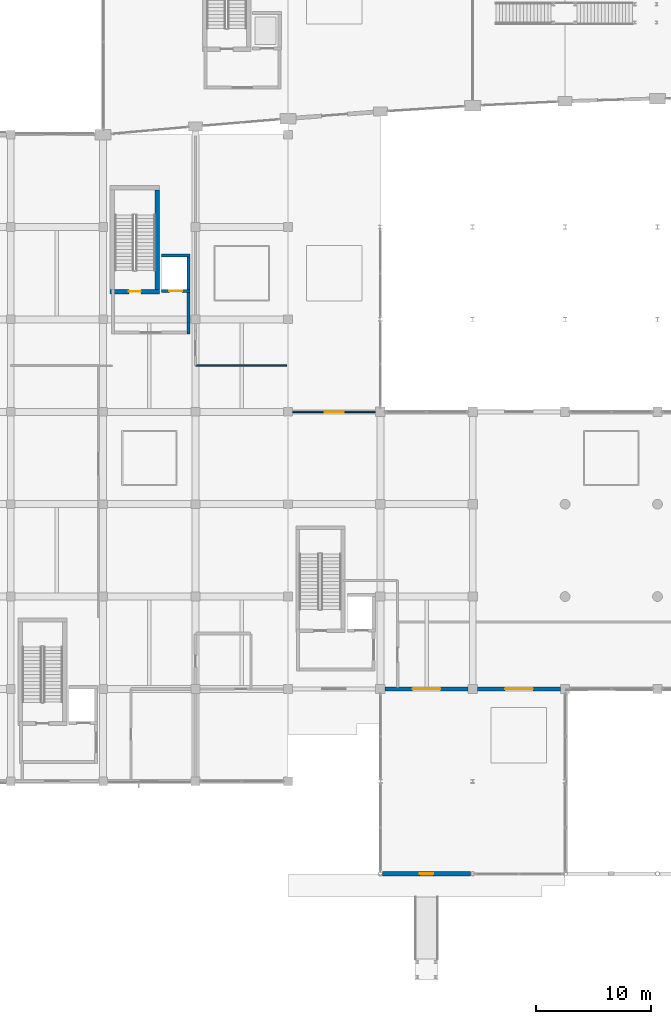
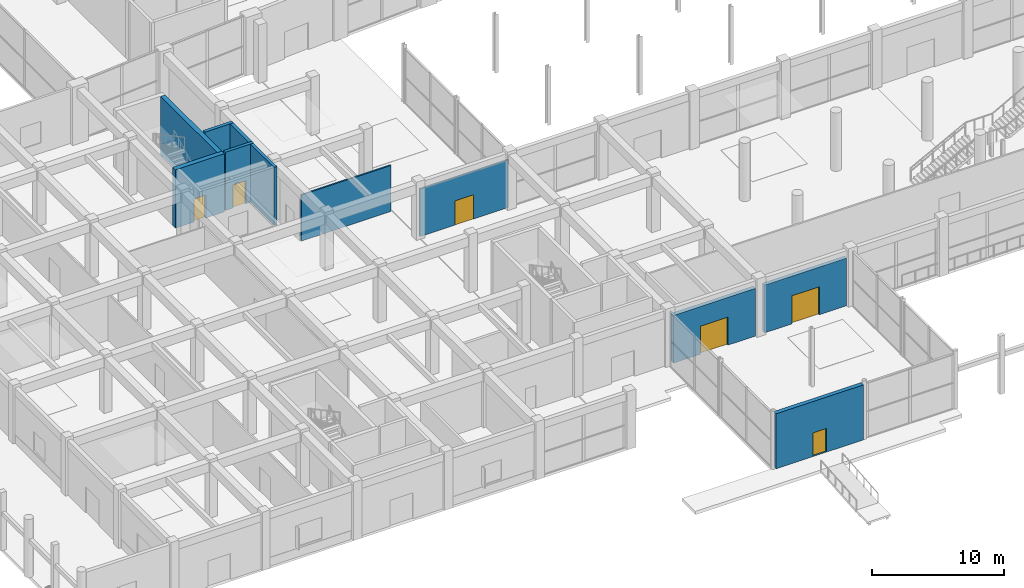
# One storey, part 56 of 86: 11 walls, 6 doors, 6 openings.
"""IFC4 building model written with IfcOpenShell, lengths in metres."""

from ifc_helpers import new_model, si_unit, direction, frame, frame_2d, origin, place, context, subcontext, project, spatial, rectangle, extrude, material, layer, layer_set, type_object, element, fill, save


model = new_model("IFC4")

# Units and contexts
model_context = context("Model", 3, precision=1e-05, world=origin(), true_north=direction((0.0, 1.0)))
body_context = subcontext(model_context, "Body", "Model", "MODEL_VIEW")
ifc_project = project(units=[si_unit("LENGTHUNIT", "METRE"), si_unit("AREAUNIT", "SQUARE_METRE"), si_unit("VOLUMEUNIT", "CUBIC_METRE"), si_unit("PLANEANGLEUNIT", "RADIAN"), si_unit("MASSUNIT", "GRAM", prefix="KILO")], contexts=[model_context])

# Site, building, storey
site_placement = place(None, origin())
site = spatial("IfcSite", under=ifc_project, at=site_placement, CompositionType="ELEMENT")
building_placement = place(site_placement, origin())
building = spatial("IfcBuilding", under=site, at=building_placement, Name="Kenh Van Central Station", CompositionType="ELEMENT")
storey_placement = place(building_placement, origin())
storey = spatial("IfcBuildingStorey", under=building, at=storey_placement, Name="L00", CompositionType="ELEMENT", Elevation=0.0)

# Wall, opening, door
ifc_material_1 = material(Name="Concrete C40/50", Category="concrete")
ifc_layer_1 = layer(ifc_material_1, 0.280029296875, Name="Concrete C40/50")
ifc_layer_set_1 = layer_set([ifc_layer_1], Name="Concrete C40/50")
wall_type_1 = type_object("IfcWallType", Name="WL-CORE-280", PredefinedType="SHEAR", material=ifc_layer_set_1)
wall_1_placement = place(storey_placement, frame((37.050048828125, 50.4599609375, 0.0), z_axis=(0.0, 0.0, 1.0), x_axis=(1.0, 0.0, 0.0)))
wall_1 = element("IfcWall", 1, at=wall_1_placement, inside=storey, type_object=wall_type_1, Name="L00 LIFT-P2 shaft wall S", PredefinedType="SHEAR", context=body_context, shape_type="SweptSolid", body=[
    extrude(rectangle(XDim=2.47998046875, YDim=0.280029296875, at=frame_2d((1.239990234375, 0.0))), origin(), (0.0, 0.0, 1.0), 5.39990234375),
])
opening_1_placement = place(wall_1_placement, frame((0.68994140625, 0.0, 0.0)))
opening_1 = element("IfcOpeningElement", 2, at=opening_1_placement, cuts=wall_1, Name="Opening LD-P1", PredefinedType="OPENING", context=body_context, shape_type="SweptSolid", body=[
    extrude(rectangle(XDim=1.10009765625, YDim=2.14990234375, at=frame_2d((0.550048828125, 1.074951171875))), frame((0.0, 0.14990234375, 0.0), z_axis=(0.0, -1.0, 0.0), x_axis=(1.0, 0.0, 0.0)), (0.0, 0.0, 1.0), 0.300048828125),
])
ifc_material_2 = material(Name="Champagne anodised aluminium", Category="aluminium")
door_type_1 = type_object("IfcDoorType", Name="DR-LIFT-1100x2150", OperationType="SLIDING_TO_LEFT", PredefinedType="DOOR", material=ifc_material_2)
door_1_placement = place(opening_1_placement, origin())
door_1 = element("IfcDoor", 3, at=door_1_placement, inside=storey, type_object=door_type_1, Name="L00 LIFT-P2 sliding landing door", OperationType="SLIDING_TO_LEFT", OverallHeight=2.14990234375, OverallWidth=1.10009765625, PredefinedType="DOOR", context=body_context, shape_type="SweptSolid", body=[
    extrude(rectangle(XDim=1.10009765625, YDim=2.14990234375, at=frame_2d((0.550048828125, 1.074951171875))), frame((0.0, 0.02490234375, 0.0), z_axis=(0.0, -1.0, 0.0), x_axis=(1.0, 0.0, 0.0)), (0.0, 0.0, 1.0), 0.050048828125),
])
fill(opening_1, door_1)

# Walls
wall_2_placement = place(storey_placement, frame((37.050048828125, 53.5400390625, 0.0), z_axis=(0.0, 0.0, 1.0), x_axis=(1.0, 0.0, 0.0)))
element("IfcWall", 4, at=wall_2_placement, inside=storey, type_object=wall_type_1, Name="L00 LIFT-P2 shaft wall N", PredefinedType="SHEAR", context=body_context, shape_type="SweptSolid", body=[
    extrude(rectangle(XDim=2.47998046875, YDim=0.280029296875, at=frame_2d((1.239990234375, 0.0))), origin(), (0.0, 0.0, 1.0), 5.39990234375),
])
wall_3_placement = place(storey_placement, frame((39.389892578125, 50.60009765625, 0.0), z_axis=(0.0, 0.0, 1.0), x_axis=(0.0, 1.0, 0.0)))
element("IfcWall", 5, at=wall_3_placement, inside=storey, type_object=wall_type_1, Name="L00 LIFT-P2 shaft wall E", PredefinedType="SHEAR", context=body_context, shape_type="SweptSolid", body=[
    extrude(rectangle(XDim=2.7998046875, YDim=0.280029296875, at=frame_2d((1.39990234375, 0.0))), origin(), (0.0, 0.0, 1.0), 5.39990234375),
])

# Wall, opening, door
ifc_layer_2 = layer(ifc_material_1, 0.39990234375, Name="Concrete C40/50")
ifc_layer_set_2 = layer_set([ifc_layer_2], Name="Concrete C40/50")
wall_type_2 = type_object("IfcWallType", Name="WL-CORE-400", PredefinedType="SHEAR", material=ifc_layer_set_2)
wall_4_placement = place(storey_placement, frame((32.60009765625, 50.39990234375, 0.0), z_axis=(0.0, 0.0, 1.0), x_axis=(1.0, 0.0, 0.0)))
wall_4 = element("IfcWall", 6, at=wall_4_placement, inside=storey, type_object=wall_type_2, Name="L00 CORE-02 stair wall S", PredefinedType="SHEAR", context=body_context, shape_type="SweptSolid", body=[
    extrude(rectangle(XDim=4.2998046875, YDim=0.39990234375, at=frame_2d((2.14990234375, 0.0))), origin(), (0.0, 0.0, 1.0), 5.39990234375),
])
opening_2_placement = place(wall_4_placement, frame((1.625, 0.0, 0.0)))
opening_2 = element("IfcOpeningElement", 7, at=opening_2_placement, cuts=wall_4, Name="Opening D-FD60", PredefinedType="OPENING", context=body_context, shape_type="SweptSolid", body=[
    extrude(rectangle(XDim=1.050048828125, YDim=2.14990234375, at=frame_2d((0.52490234375, 1.074951171875))), frame((0.0, 0.2099609375, 0.0), z_axis=(0.0, -1.0, 0.0), x_axis=(1.0, 0.0, 0.0)), (0.0, 0.0, 1.0), 0.419921875),
])
door_type_2 = type_object("IfcDoorType", Name="DR-FIRE-1050x2150", OperationType="NOTDEFINED", PredefinedType="DOOR", material=ifc_material_2)
door_2_placement = place(opening_2_placement, origin())
door_2 = element("IfcDoor", 8, at=door_2_placement, inside=storey, type_object=door_type_2, Name="L00 ST-02 stair door", OperationType="SINGLE_SWING_LEFT", OverallHeight=2.14990234375, OverallWidth=1.050048828125, PredefinedType="DOOR", context=body_context, shape_type="SweptSolid", body=[
    extrude(rectangle(XDim=1.050048828125, YDim=2.14990234375, at=frame_2d((0.52490234375, 1.074951171875))), frame((0.0, 0.02490234375, 0.0), z_axis=(0.0, -1.0, 0.0), x_axis=(1.0, 0.0, 0.0)), (0.0, 0.0, 1.0), 0.050048828125),
])
fill(opening_2, door_2)

# Wall
wall_5_placement = place(storey_placement, frame((36.699951171875, 50.60009765625, 0.0), z_axis=(0.0, 0.0, 1.0), x_axis=(0.0, 1.0, 0.0)))
element("IfcWall", 9, at=wall_5_placement, inside=storey, type_object=wall_type_2, Name="L00 CORE-02 stair wall E", PredefinedType="SHEAR", context=body_context, shape_type="SweptSolid", body=[
    extrude(rectangle(XDim=8.599853515625, YDim=0.39990234375, at=frame_2d((4.2998046875, 0.0))), origin(), (0.0, 0.0, 1.0), 5.39990234375),
])

# Wall, opening, door
ifc_material_3 = material(Name="Saigon buff sandstone and terracotta masonry", Category="masonry")
ifc_layer_3 = layer(ifc_material_3, 0.330078125, Name="Saigon buff sandstone and terracotta masonry")
ifc_layer_set_3 = layer_set([ifc_layer_3], Name="Saigon buff sandstone and terracotta masonry")
wall_type_3 = type_object("IfcWallType", Name="WL-EXT-330", PredefinedType="STANDARD", material=ifc_layer_set_3)
wall_6_placement = place(storey_placement, frame((64.39990234375, 16.0, 0.0), z_axis=(0.0, 0.0, 1.0), x_axis=(1.0, 0.0, 0.0)))
wall_6 = element("IfcWall", 10, at=wall_6_placement, inside=storey, type_object=wall_type_3, Name="L00 exterior wall 010", PredefinedType="STANDARD", context=body_context, shape_type="SweptSolid", body=[
    extrude(rectangle(XDim=7.2001953125, YDim=0.330078125, at=frame_2d((3.60009765625, 0.0))), origin(), (0.0, 0.0, 1.0), 4.419921875),
])
opening_3_placement = place(wall_6_placement, frame((2.39990234375, 0.0, 0.0)))
opening_3 = element("IfcOpeningElement", 11, at=opening_3_placement, cuts=wall_6, Name="Opening D-EX1", PredefinedType="OPENING", context=body_context, shape_type="SweptSolid", body=[
    extrude(rectangle(XDim=2.39990234375, YDim=2.60009765625, at=frame_2d((1.199951171875, 1.300048828125))), frame((0.0, 0.175048828125, 0.0), z_axis=(0.0, -1.0, 0.0), x_axis=(1.0, 0.0, 0.0)), (0.0, 0.0, 1.0), 0.35009765625),
])
door_type_3 = type_object("IfcDoorType", Name="DR-EXT-2400x2600", OperationType="DOUBLE_DOOR_SINGLE_SWING", PredefinedType="DOOR", material=ifc_material_2)
door_3_placement = place(opening_3_placement, frame((2.39990234375, 0.0, 0.0), z_axis=(0.0, 0.0, 1.0), x_axis=(-1.0, 0.0, 0.0)))
door_3 = element("IfcDoor", 12, at=door_3_placement, inside=storey, type_object=door_type_3, Name="L00 exterior door 009", OperationType="DOUBLE_DOOR_SINGLE_SWING", OverallHeight=2.60009765625, OverallWidth=2.39990234375, PredefinedType="DOOR", context=body_context, shape_type="SweptSolid", body=[
    extrude(rectangle(XDim=2.39990234375, YDim=2.60009765625, at=frame_2d((-1.199951171875, 1.300048828125))), frame((0.0, -0.02490234375, 0.0), z_axis=(0.0, 1.0, 0.0), x_axis=(-1.0, 0.0, 0.0)), (0.0, 0.0, 1.0), 0.050048828125),
])
fill(opening_3, door_3)

ifc_layer_4 = layer(ifc_material_3, 0.35009765625, Name="Saigon buff sandstone and terracotta masonry")
ifc_layer_set_4 = layer_set([ifc_layer_4], Name="Saigon buff sandstone and terracotta masonry")
wall_type_4 = type_object("IfcWallType", Name="WL-EXT-350", PredefinedType="STANDARD", material=ifc_layer_set_4)
wall_7_placement = place(storey_placement, frame((56.39990234375, 16.0, 0.0), z_axis=(0.0, 0.0, 1.0), x_axis=(1.0, 0.0, 0.0)))
wall_7 = element("IfcWall", 13, at=wall_7_placement, inside=storey, type_object=wall_type_4, Name="L00 exterior wall 009", PredefinedType="STANDARD", context=body_context, shape_type="SweptSolid", body=[
    extrude(rectangle(XDim=7.2001953125, YDim=0.35009765625, at=frame_2d((3.60009765625, 0.0))), origin(), (0.0, 0.0, 1.0), 4.419921875),
])
opening_4_placement = place(wall_7_placement, frame((2.39990234375, 0.0, 0.0)))
opening_4 = element("IfcOpeningElement", 14, at=opening_4_placement, cuts=wall_7, Name="Opening D-EX1", PredefinedType="OPENING", context=body_context, shape_type="SweptSolid", body=[
    extrude(rectangle(XDim=2.39990234375, YDim=2.60009765625, at=frame_2d((1.199951171875, 1.300048828125))), frame((0.0, 0.18505859375, 0.0), z_axis=(0.0, -1.0, 0.0), x_axis=(1.0, 0.0, 0.0)), (0.0, 0.0, 1.0), 0.3701171875),
])
door_4_placement = place(opening_4_placement, frame((2.39990234375, 0.0, 0.0), z_axis=(0.0, 0.0, 1.0), x_axis=(-1.0, 0.0, 0.0)))
door_4 = element("IfcDoor", 15, at=door_4_placement, inside=storey, type_object=door_type_3, Name="L00 exterior door 008", OperationType="DOUBLE_DOOR_SINGLE_SWING", OverallHeight=2.60009765625, OverallWidth=2.39990234375, PredefinedType="DOOR", context=body_context, shape_type="SweptSolid", body=[
    extrude(rectangle(XDim=2.39990234375, YDim=2.60009765625, at=frame_2d((-1.199951171875, 1.300048828125))), frame((0.0, -0.02490234375, 0.0), z_axis=(0.0, 1.0, 0.0), x_axis=(-1.0, 0.0, 0.0)), (0.0, 0.0, 1.0), 0.050048828125),
])
fill(opening_4, door_4)

wall_8_placement = place(storey_placement, frame((56.177734375, 0.0, 0.0), z_axis=(0.0, 0.0, 1.0), x_axis=(1.0, 0.0, 0.0)))
wall_8 = element("IfcWall", 16, at=wall_8_placement, inside=storey, type_object=wall_type_4, Name="L00 exterior wall 017", PredefinedType="STANDARD", context=body_context, shape_type="SweptSolid", body=[
    extrude(rectangle(XDim=7.64453125, YDim=0.35009765625, at=frame_2d((3.822265625, 0.0))), origin(), (0.0, 0.0, 1.0), 5.10009765625),
])
opening_5_placement = place(wall_8_placement, frame((3.22216796875, 0.0, 0.0)))
opening_5 = element("IfcOpeningElement", 17, at=opening_5_placement, cuts=wall_8, Name="Opening D-EX9", PredefinedType="OPENING", context=body_context, shape_type="SweptSolid", body=[
    extrude(rectangle(XDim=1.199951171875, YDim=2.199951171875, at=frame_2d((0.60009765625, 1.10009765625))), frame((0.0, 0.18505859375, 0.0), z_axis=(0.0, -1.0, 0.0), x_axis=(1.0, 0.0, 0.0)), (0.0, 0.0, 1.0), 0.3701171875),
])
door_type_4 = type_object("IfcDoorType", Name="DR-EXT-1200x2200", OperationType="NOTDEFINED", PredefinedType="DOOR", material=ifc_material_2)
door_5_placement = place(opening_5_placement, frame((1.199951171875, 0.0, 0.0), z_axis=(0.0, 0.0, 1.0), x_axis=(-1.0, 0.0, 0.0)))
door_5 = element("IfcDoor", 18, at=door_5_placement, inside=storey, type_object=door_type_4, Name="L00 exterior door 016", OperationType="SINGLE_SWING_RIGHT", OverallHeight=2.199951171875, OverallWidth=1.199951171875, PredefinedType="DOOR", context=body_context, shape_type="SweptSolid", body=[
    extrude(rectangle(XDim=1.199951171875, YDim=2.199951171875, at=frame_2d((-0.60009765625, 1.10009765625))), frame((0.0, -0.02490234375, 0.0), z_axis=(0.0, 1.0, 0.0), x_axis=(-1.0, 0.0, 0.0)), (0.0, 0.0, 1.0), 0.050048828125),
])
fill(opening_5, door_5)

# Wall
ifc_layer_5 = layer(ifc_material_1, 0.260009765625, Name="Concrete C40/50")
ifc_layer_set_5 = layer_set([ifc_layer_5], Name="Concrete C40/50")
wall_type_5 = type_object("IfcWallType", Name="WL-FIRE-260", PredefinedType="SHEAR", material=ifc_layer_set_5)
wall_9_placement = place(storey_placement, frame((39.3798828125, 46.739990234375, 0.0), z_axis=(0.0, 0.0, 1.0), x_axis=(0.0, 1.0, 0.0)))
element("IfcWall", 19, at=wall_9_placement, inside=storey, type_object=wall_type_5, Name="L00 CORE-02 lobby wall E", PredefinedType="SHEAR", context=body_context, shape_type="SweptSolid", body=[
    extrude(rectangle(XDim=3.860107421875, YDim=0.260009765625, at=frame_2d((1.93017578125, 0.0))), origin(), (0.0, 0.0, 1.0), 5.39990234375),
])

# Wall, opening, door
ifc_material_4 = material(Name="Lightweight acoustic masonry blockwork", Category="masonry")
ifc_layer_6 = layer(ifc_material_4, 0.125, Name="Lightweight acoustic masonry blockwork")
ifc_layer_set_6 = layer_set([ifc_layer_6], Name="Lightweight acoustic masonry blockwork")
wall_type_6 = type_object("IfcWallType", Name="WL-PART-125", PredefinedType="PARTITIONING", material=ifc_layer_set_6)
wall_10_placement = place(storey_placement, frame((48.1201171875, 40.0, 0.0), z_axis=(0.0, 0.0, 1.0), x_axis=(1.0, 0.0, 0.0)))
wall_10 = element("IfcWall", 20, at=wall_10_placement, inside=storey, type_object=wall_type_6, Name="L00 interior wall 0060", PredefinedType="PARTITIONING", context=body_context, shape_type="SweptSolid", body=[
    extrude(rectangle(XDim=7.759765625, YDim=0.125, at=frame_2d((3.8798828125, 0.0))), origin(), (0.0, 0.0, 1.0), 4.419921875),
])
opening_6_placement = place(wall_10_placement, frame((3.054931640625, 0.0, 0.0)))
opening_6 = element("IfcOpeningElement", 21, at=opening_6_placement, cuts=wall_10, Name="Opening D-IN02", PredefinedType="OPENING", context=body_context, shape_type="SweptSolid", body=[
    extrude(rectangle(XDim=1.64990234375, YDim=2.25, at=frame_2d((0.824951171875, 1.125))), frame((0.0, 0.072509765625, 0.0), z_axis=(0.0, -1.0, 0.0), x_axis=(1.0, 0.0, 0.0)), (0.0, 0.0, 1.0), 0.14501953125),
])
ifc_material_5 = material(Name="Architectural hardwood timber", Category="wood")
door_type_5 = type_object("IfcDoorType", Name="DR-INT-1650x2250", OperationType="DOUBLE_DOOR_SINGLE_SWING", PredefinedType="DOOR", material=ifc_material_5)
door_6_placement = place(opening_6_placement, origin())
door_6 = element("IfcDoor", 22, at=door_6_placement, inside=storey, type_object=door_type_5, Name="L00 interior door 0031", OperationType="DOUBLE_DOOR_SINGLE_SWING", OverallHeight=2.25, OverallWidth=1.64990234375, PredefinedType="DOOR", context=body_context, shape_type="SweptSolid", body=[
    extrude(rectangle(XDim=1.64990234375, YDim=2.25, at=frame_2d((0.824951171875, 1.125))), frame((0.0, 0.02490234375, 0.0), z_axis=(0.0, -1.0, 0.0), x_axis=(1.0, 0.0, 0.0)), (0.0, 0.0, 1.0), 0.050048828125),
])
fill(opening_6, door_6)

# Wall
ifc_layer_7 = layer(ifc_material_4, 0.135009765625, Name="Lightweight acoustic masonry blockwork")
ifc_layer_set_7 = layer_set([ifc_layer_7], Name="Lightweight acoustic masonry blockwork")
wall_type_7 = type_object("IfcWallType", Name="WL-PART-135", PredefinedType="PARTITIONING", material=ifc_layer_set_7)
wall_11_placement = place(storey_placement, frame((40.02001953125, 44.0, 0.0), z_axis=(0.0, 0.0, 1.0), x_axis=(1.0, 0.0, 0.0)))
element("IfcWall", 23, at=wall_11_placement, inside=storey, type_object=wall_type_7, Name="L00 interior wall 0059", PredefinedType="PARTITIONING", context=body_context, shape_type="SweptSolid", body=[
    extrude(rectangle(XDim=7.85986328125, YDim=0.135009765625, at=frame_2d((3.929931640625, 0.0))), origin(), (0.0, 0.0, 1.0), 4.27001953125),
])

save(model, "model.ifc")
